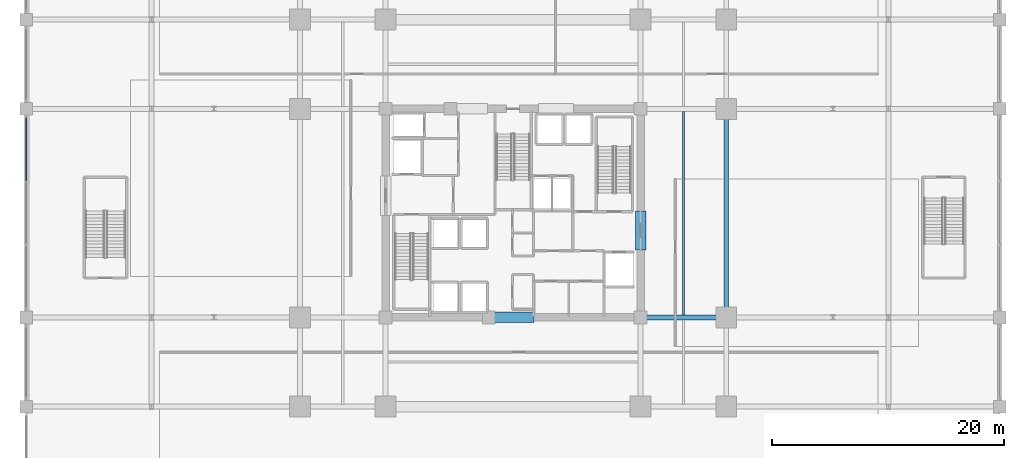
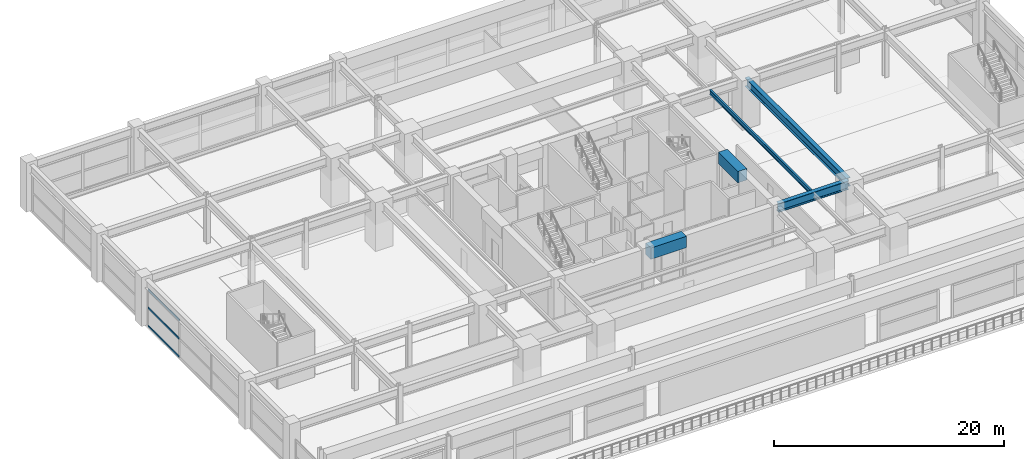
# One storey, part 12 of 45: 5 beams, 3 members, 1 element without a shape of its own.
"""IFC4 building model written with IfcOpenShell, lengths in metres."""

from ifc_helpers import new_model, si_unit, direction, frame, origin, origin_2d, place, context, subcontext, project, spatial, rectangle, hollow_rectangle, i_section, extrude, material, material_profile, profile_set, type_object, element, aggregate, save


model = new_model("IFC4")

# Units and contexts
model_context = context("Model", 3, precision=1e-05, world=origin(), true_north=direction((0.0, 1.0)))
body_context = subcontext(model_context, "Body", "Model", "MODEL_VIEW")
ifc_project = project(units=[si_unit("LENGTHUNIT", "METRE"), si_unit("AREAUNIT", "SQUARE_METRE"), si_unit("VOLUMEUNIT", "CUBIC_METRE"), si_unit("PLANEANGLEUNIT", "RADIAN"), si_unit("MASSUNIT", "GRAM", prefix="KILO")], contexts=[model_context])

# Site, building, storey
site_placement = place(None, origin())
site = spatial("IfcSite", under=ifc_project, at=site_placement, CompositionType="ELEMENT")
building_placement = place(site_placement, origin())
building = spatial("IfcBuilding", under=site, at=building_placement, Name="Kovane Verandah Tower", CompositionType="ELEMENT")
storey_placement = place(building_placement, frame((0.0, 0.0, 6.0)))
storey = spatial("IfcBuildingStorey", under=building, at=storey_placement, Name="L01", CompositionType="ELEMENT", Elevation=6.0)

# Beams
ifc_material_1 = material(Name="Concrete C80/95", Category="concrete")
ifc_material_profile_1 = material_profile(ifc_material_1, rectangle(XDim=0.89990234375, YDim=1.199951171875, at=origin_2d()), Name="RCB900x1200")
ifc_profile_set_1 = profile_set([ifc_material_profile_1], Name="Concrete C80/95")
beam_type_1 = type_object("IfcBeamType", Name="BM-LINTEL-900x1200", PredefinedType="LINTEL", material=ifc_profile_set_1)
beam_1_placement = place(storey_placement, frame((38.199951171875, 18.5, 4.320068359375), z_axis=(1.0, 0.0, 0.0), x_axis=(0.0, 1.0, 0.0)))
element("IfcBeam", 1, at=beam_1_placement, inside=storey, type_object=beam_type_1, Name="L01 Core Coupling Lintel CL-S", PredefinedType="LINTEL", context=body_context, shape_type="SweptSolid", body=[
    extrude(rectangle(XDim=0.89990234375, YDim=1.199951171875, at=origin_2d()), origin(), (0.0, 0.0, 1.0), 3.60009765625),
])
beam_2_placement = place(storey_placement, frame((51.0, 24.300048828125, 4.320068359375), z_axis=(0.0, 1.0, 0.0), x_axis=(-1.0, 0.0, 0.0)))
element("IfcBeam", 2, at=beam_2_placement, inside=storey, type_object=beam_type_1, Name="L01 Core Coupling Lintel CL-E", PredefinedType="LINTEL", context=body_context, shape_type="SweptSolid", body=[
    extrude(rectangle(XDim=0.89990234375, YDim=1.199951171875, at=origin_2d()), origin(), (0.0, 0.0, 1.0), 3.39990234375),
])
ifc_material_2 = material(Name="Steel S460", Category="steel")
ifc_material_profile_2 = material_profile(ifc_material_2, i_section(OverallWidth=0.42041015625, OverallDepth=0.9208984375, WebThickness=0.021484375, FlangeThickness=0.03662109375, FilletRadius=0.024169921875, at=origin_2d()), Name="UB914x419x388")
ifc_profile_set_2 = profile_set([ifc_material_profile_2], Name="Steel S460")
beam_type_2 = type_object("IfcBeamType", Name="BM-UB914x388", PredefinedType="BEAM", material=ifc_profile_set_2)
beam_3_placement = place(storey_placement, frame((58.39990234375, 18.679931640625, 4.45947265625), z_axis=(0.0, 1.0, 0.0), x_axis=(-1.0, 0.0, 0.0)))
element("IfcBeam", 3, at=beam_3_placement, inside=storey, type_object=beam_type_2, Name="L01 Primary Tower Girder G-RE2", PredefinedType="BEAM", context=body_context, shape_type="SweptSolid", body=[
    extrude(i_section(OverallWidth=0.42041015625, OverallDepth=0.9208984375, WebThickness=0.021484375, FlangeThickness=0.03662109375, FilletRadius=0.024169921875, at=origin_2d()), origin(), (0.0, 0.0, 1.0), 17.64013671875),
])
beam_4_placement = place(storey_placement, frame((51.179931640625, 18.5, 4.45947265625), z_axis=(1.0, 0.0, 0.0), x_axis=(0.0, 1.0, 0.0)))
element("IfcBeam", 4, at=beam_4_placement, inside=storey, type_object=beam_type_2, Name="L01 Primary Tower Girder G-E1", PredefinedType="BEAM", context=body_context, shape_type="SweptSolid", body=[
    extrude(i_section(OverallWidth=0.42041015625, OverallDepth=0.9208984375, WebThickness=0.021484375, FlangeThickness=0.03662109375, FilletRadius=0.024169921875, at=origin_2d()), origin(), (0.0, 0.0, 1.0), 7.0400390625),
])

# Curtain wall, members
ifc_material_3 = material(Name="Champagne Anodised Aluminium Frame with Low-E Clear Laminated Glass", Category="aluminium")
curtain_wall_type = type_object("IfcCurtainWallType", Name="CW-SYS-01-POD", PredefinedType="NOTDEFINED", material=ifc_material_3)
curtain_wall_placement = place(storey_placement, origin())
curtain_wall = element("IfcCurtainWall", 5, at=curtain_wall_placement, inside=storey, type_object=curtain_wall_type, Name="L01 West Podium Curtain Wall Bay 3", PredefinedType="NOTDEFINED")
ifc_material_4 = material(Name="Champagne Anodised Aluminium 6063-T6", Category="aluminium")
ifc_material_profile_3 = material_profile(ifc_material_4, hollow_rectangle(XDim=0.0849609375, YDim=0.18994140625, WallThickness=0.00390625, at=origin_2d()), Name="AL85x190x4")
ifc_profile_set_3 = profile_set([ifc_material_profile_3], Name="Champagne Anodised Aluminium 6063-T6")
member_type = type_object("IfcMemberType", Name="CW-TRN-85x190", PredefinedType="USERDEFINED", material=ifc_profile_set_3)
member_1_placement = place(storey_placement, frame((-2.0, 35.72998046875, 0.050048828125), z_axis=(0.0, -1.0, 0.0), x_axis=(1.0, 0.0, 0.0)))
member_1 = element("IfcMember", 6, at=member_1_placement, type_object=member_type, Name="L01 West Podium Curtain Wall Bay 3 Transom TB Bay 1", ObjectType="TRANSOM", PredefinedType="USERDEFINED", context=body_context, shape_type="SweptSolid", body=[
    extrude(hollow_rectangle(XDim=0.0849609375, YDim=0.18994140625, WallThickness=0.00390625, at=origin_2d()), origin(), (0.0, 0.0, 1.0), 5.419921875),
])
member_2_placement = place(storey_placement, frame((-2.0, 35.72998046875, 1.9794921875), z_axis=(0.0, -1.0, 0.0), x_axis=(1.0, 0.0, 0.0)))
member_2 = element("IfcMember", 7, at=member_2_placement, type_object=member_type, Name="L01 West Podium Curtain Wall Bay 3 Transom TM Bay 1", ObjectType="TRANSOM", PredefinedType="USERDEFINED", context=body_context, shape_type="SweptSolid", body=[
    extrude(hollow_rectangle(XDim=0.0849609375, YDim=0.18994140625, WallThickness=0.00390625, at=origin_2d()), origin(), (0.0, 0.0, 1.0), 5.419921875),
])
member_3_placement = place(storey_placement, frame((-2.0, 35.72998046875, 3.908935546875), z_axis=(0.0, -1.0, 0.0), x_axis=(1.0, 0.0, 0.0)))
member_3 = element("IfcMember", 8, at=member_3_placement, type_object=member_type, Name="L01 West Podium Curtain Wall Bay 3 Transom TT Bay 1", ObjectType="TRANSOM", PredefinedType="USERDEFINED", context=body_context, shape_type="SweptSolid", body=[
    extrude(hollow_rectangle(XDim=0.0849609375, YDim=0.18994140625, WallThickness=0.00390625, at=origin_2d()), origin(), (0.0, 0.0, 1.0), 5.419921875),
])
aggregate(curtain_wall, [member_1, member_2, member_3])

# Beam
ifc_material_5 = material(Name="Steel S355", Category="steel")
ifc_material_profile_4 = material_profile(ifc_material_5, i_section(OverallWidth=0.19287109375, OverallDepth=0.46728515625, WebThickness=0.011474609375, FlangeThickness=0.01953125, FilletRadius=0.01025390625, at=origin_2d()), Name="UB457x191x98")
ifc_profile_set_4 = profile_set([ifc_material_profile_4], Name="Steel S355")
beam_type_3 = type_object("IfcBeamType", Name="JST-UB457x98", PredefinedType="JOIST", material=ifc_profile_set_4)
beam_5_placement = place(storey_placement, frame((54.699951171875, 18.708251953125, 4.686279296875), z_axis=(0.0, 1.0, 0.0), x_axis=(-1.0, 0.0, 0.0)))
element("IfcBeam", 9, at=beam_5_placement, inside=storey, type_object=beam_type_3, Name="L01 Secondary Composite Joist J-E1", PredefinedType="JOIST", context=body_context, shape_type="SweptSolid", body=[
    extrude(i_section(OverallWidth=0.19287109375, OverallDepth=0.46728515625, WebThickness=0.011474609375, FlangeThickness=0.01953125, FilletRadius=0.01025390625, at=origin_2d()), origin(), (0.0, 0.0, 1.0), 17.58349609375),
])

save(model, "model.ifc")
